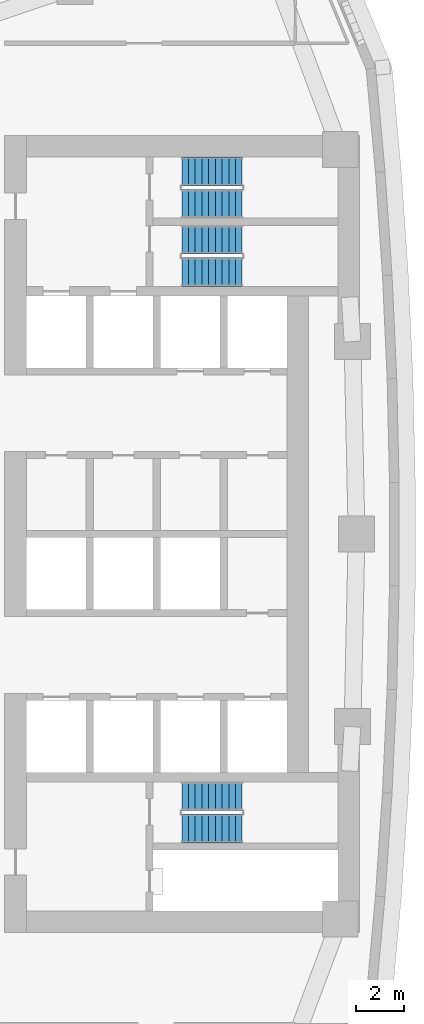
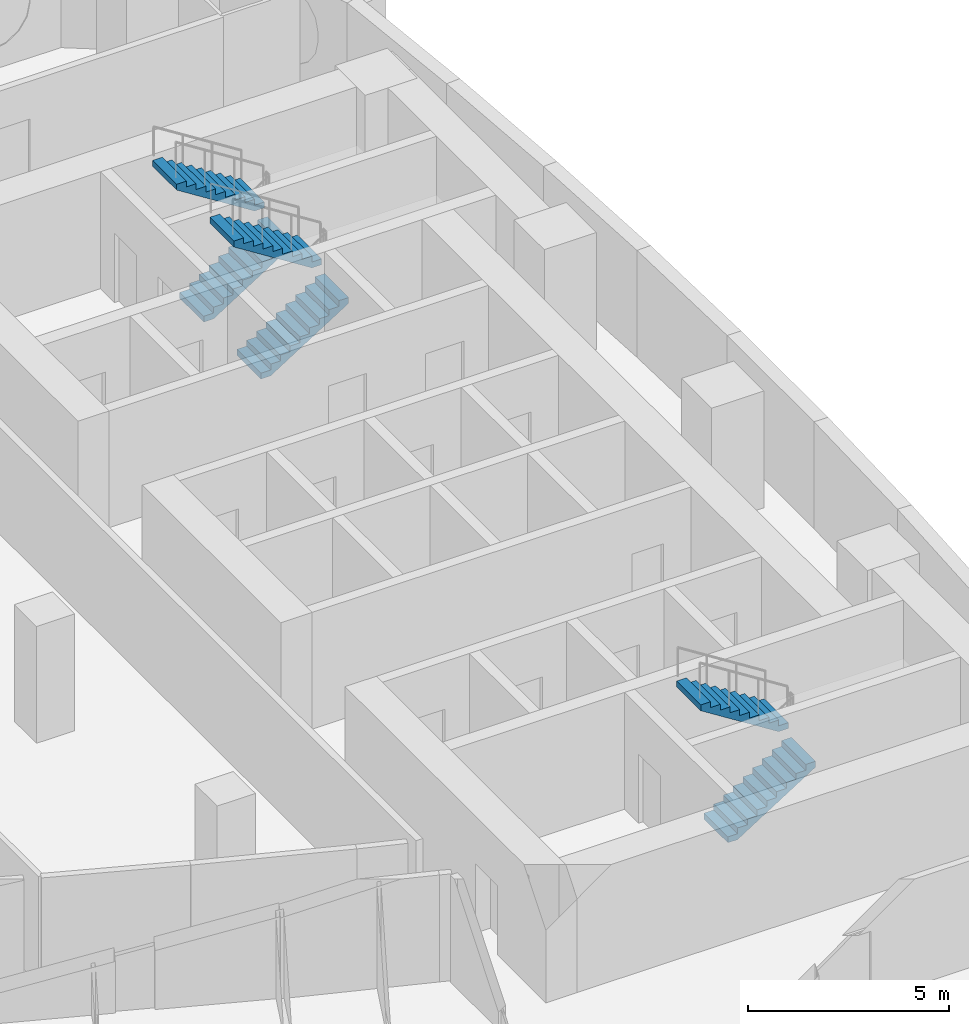
# One storey, part 13 of 17: 6 stair flights, 3 elements without a shape of their own.
"""IFC4 building model written with IfcOpenShell, lengths in metres."""

from ifc_helpers import new_model, si_unit, direction, frame, origin, place, context, subcontext, project, spatial, polyline, outline, extrude, material, type_object, element, aggregate, save


model = new_model("IFC4")

# Units and contexts
model_context = context("Model", 3, precision=1e-05, world=origin(), true_north=direction((0.0, 1.0)))
body_context = subcontext(model_context, "Body", "Model", "MODEL_VIEW")
ifc_project = project(units=[si_unit("LENGTHUNIT", "METRE"), si_unit("AREAUNIT", "SQUARE_METRE"), si_unit("VOLUMEUNIT", "CUBIC_METRE"), si_unit("PLANEANGLEUNIT", "RADIAN"), si_unit("MASSUNIT", "GRAM", prefix="KILO")], contexts=[model_context])

# Site, building, storey
site_placement = place(None, origin())
site = spatial("IfcSite", under=ifc_project, at=site_placement, CompositionType="ELEMENT")
building_placement = place(site_placement, origin())
building = spatial("IfcBuilding", under=site, at=building_placement, Name="Ostrand Prow Hotel Tower", CompositionType="ELEMENT")
storey_placement = place(building_placement, frame((0.0, 0.0, 144.39990234375)))
storey = spatial("IfcBuildingStorey", under=building, at=storey_placement, Name="L35", CompositionType="ELEMENT", Elevation=144.39990234375)

# Stair, stair flights
ifc_material_1 = material(Name="Concrete C40/50", Category="concrete")
stair_type = type_object("IfcStairType", Name="Exit stair 1200 upper zone", PredefinedType="HALF_TURN_STAIR", material=ifc_material_1)
stair_1_placement = place(storey_placement, origin())
stair_1 = element("IfcStair", 1, at=stair_1_placement, inside=storey, type_object=stair_type, Name="L35 ST1C", PredefinedType="HALF_TURN_STAIR")
ifc_material_2 = material(Name="Concrete C40/50", Category="concrete")
stair_flight_type = type_object("IfcStairFlightType", Name="Stair flight 1200 concrete", PredefinedType="STRAIGHT", material=ifc_material_2)
stair_flight_1_placement = place(storey_placement, frame((57.199951171875, 10.949951171875, 0.0), z_axis=(0.0, 0.0, 1.0), x_axis=(1.0, 0.0, 0.0)))
stair_flight_1 = element("IfcStairFlight", 2, at=stair_flight_1_placement, type_object=stair_flight_type, Name="ST1C flight 1", NumberOfRisers=10, NumberOfTreads=9, PredefinedType="STRAIGHT", RiserHeight=0.1775, TreadLength=0.28, context=body_context, shape_type="SweptSolid", body=[
    extrude(outline(polyline([(0.0, 0.0), (0.0, 0.177490234375), (0.280029296875, 0.177490234375), (0.280029296875, 0.35498046875), (0.56005859375, 0.35498046875), (0.56005859375, 0.532470703125), (0.840087890625, 0.532470703125), (0.840087890625, 0.7099609375), (1.1201171875, 0.7099609375), (1.1201171875, 0.887451171875), (1.39990234375, 0.887451171875), (1.39990234375, 1.06494140625), (1.679931640625, 1.06494140625), (1.679931640625, 1.242431640625), (1.9599609375, 1.242431640625), (1.9599609375, 1.419921875), (2.239990234375, 1.419921875), (2.239990234375, 1.597412109375), (2.52001953125, 1.597412109375), (2.52001953125, 1.77490234375), (2.52001953125, 1.419921875), (0.280029296875, 0.0), (0.0, 0.0)])), frame((0.0, 0.60009765625, 0.0), z_axis=(0.0, -1.0, 0.0), x_axis=(1.0, 0.0, 0.0)), (0.0, 0.0, 1.0), 1.199951171875),
])
stair_flight_2_placement = place(storey_placement, frame((59.719970703125, 12.300048828125, 1.775146484375), z_axis=(0.0, 0.0, 1.0), x_axis=(-1.0, 0.0, 0.0)))
stair_flight_2 = element("IfcStairFlight", 3, at=stair_flight_2_placement, type_object=stair_flight_type, Name="ST1C flight 2", NumberOfRisers=10, NumberOfTreads=9, PredefinedType="STRAIGHT", RiserHeight=0.1775, TreadLength=0.28, context=body_context, shape_type="SweptSolid", body=[
    extrude(outline(polyline([(0.0, 0.0), (0.0, 0.177490234375), (0.280029296875, 0.177490234375), (0.280029296875, 0.35498046875), (0.56005859375, 0.35498046875), (0.56005859375, 0.532470703125), (0.840087890625, 0.532470703125), (0.840087890625, 0.7099609375), (1.1201171875, 0.7099609375), (1.1201171875, 0.887451171875), (1.39990234375, 0.887451171875), (1.39990234375, 1.06494140625), (1.679931640625, 1.06494140625), (1.679931640625, 1.242431640625), (1.9599609375, 1.242431640625), (1.9599609375, 1.419921875), (2.239990234375, 1.419921875), (2.239990234375, 1.597412109375), (2.52001953125, 1.597412109375), (2.52001953125, 1.77490234375), (2.52001953125, 1.419921875), (0.280029296875, 0.0), (0.0, 0.0)])), frame((0.0, 0.60009765625, 0.0), z_axis=(0.0, -1.0, 0.0), x_axis=(1.0, 0.0, 0.0)), (0.0, 0.0, 1.0), 1.199951171875),
])
aggregate(stair_1, [stair_flight_1, stair_flight_2])

stair_2_placement = place(storey_placement, origin())
stair_2 = element("IfcStair", 4, at=stair_2_placement, inside=storey, type_object=stair_type, Name="L35 ST3C", PredefinedType="HALF_TURN_STAIR")
stair_flight_3_placement = place(storey_placement, frame((57.199951171875, 13.800048828125, 0.0), z_axis=(0.0, 0.0, 1.0), x_axis=(1.0, 0.0, 0.0)))
stair_flight_3 = element("IfcStairFlight", 5, at=stair_flight_3_placement, type_object=stair_flight_type, Name="ST3C flight 1", NumberOfRisers=10, NumberOfTreads=9, PredefinedType="STRAIGHT", RiserHeight=0.1775, TreadLength=0.28, context=body_context, shape_type="SweptSolid", body=[
    extrude(outline(polyline([(0.0, 0.0), (0.0, 0.177490234375), (0.280029296875, 0.177490234375), (0.280029296875, 0.35498046875), (0.56005859375, 0.35498046875), (0.56005859375, 0.532470703125), (0.840087890625, 0.532470703125), (0.840087890625, 0.7099609375), (1.1201171875, 0.7099609375), (1.1201171875, 0.887451171875), (1.39990234375, 0.887451171875), (1.39990234375, 1.06494140625), (1.679931640625, 1.06494140625), (1.679931640625, 1.242431640625), (1.9599609375, 1.242431640625), (1.9599609375, 1.419921875), (2.239990234375, 1.419921875), (2.239990234375, 1.597412109375), (2.52001953125, 1.597412109375), (2.52001953125, 1.77490234375), (2.52001953125, 1.419921875), (0.280029296875, 0.0), (0.0, 0.0)])), frame((0.0, 0.60009765625, 0.0), z_axis=(0.0, -1.0, 0.0), x_axis=(1.0, 0.0, 0.0)), (0.0, 0.0, 1.0), 1.199951171875),
])
stair_flight_4_placement = place(storey_placement, frame((59.719970703125, 15.14990234375, 1.775146484375), z_axis=(0.0, 0.0, 1.0), x_axis=(-1.0, 0.0, 0.0)))
stair_flight_4 = element("IfcStairFlight", 6, at=stair_flight_4_placement, type_object=stair_flight_type, Name="ST3C flight 2", NumberOfRisers=10, NumberOfTreads=9, PredefinedType="STRAIGHT", RiserHeight=0.1775, TreadLength=0.28, context=body_context, shape_type="SweptSolid", body=[
    extrude(outline(polyline([(0.0, 0.0), (0.0, 0.177490234375), (0.280029296875, 0.177490234375), (0.280029296875, 0.35498046875), (0.56005859375, 0.35498046875), (0.56005859375, 0.532470703125), (0.840087890625, 0.532470703125), (0.840087890625, 0.7099609375), (1.1201171875, 0.7099609375), (1.1201171875, 0.887451171875), (1.39990234375, 0.887451171875), (1.39990234375, 1.06494140625), (1.679931640625, 1.06494140625), (1.679931640625, 1.242431640625), (1.9599609375, 1.242431640625), (1.9599609375, 1.419921875), (2.239990234375, 1.419921875), (2.239990234375, 1.597412109375), (2.52001953125, 1.597412109375), (2.52001953125, 1.77490234375), (2.52001953125, 1.419921875), (0.280029296875, 0.0), (0.0, 0.0)])), frame((0.0, 0.60009765625, 0.0), z_axis=(0.0, -1.0, 0.0), x_axis=(1.0, 0.0, 0.0)), (0.0, 0.0, 1.0), 1.199951171875),
])
aggregate(stair_2, [stair_flight_3, stair_flight_4])

stair_3_placement = place(storey_placement, origin())
stair_3 = element("IfcStair", 7, at=stair_3_placement, inside=storey, type_object=stair_type, Name="L35 ST2C", PredefinedType="HALF_TURN_STAIR")
stair_flight_5_placement = place(storey_placement, frame((57.199951171875, -12.300048828125, 0.0), z_axis=(0.0, 0.0, 1.0), x_axis=(1.0, 0.0, 0.0)))
stair_flight_5 = element("IfcStairFlight", 8, at=stair_flight_5_placement, type_object=stair_flight_type, Name="ST2C flight 1", NumberOfRisers=10, NumberOfTreads=9, PredefinedType="STRAIGHT", RiserHeight=0.1775, TreadLength=0.28, context=body_context, shape_type="SweptSolid", body=[
    extrude(outline(polyline([(0.0, 0.0), (0.0, 0.177490234375), (0.280029296875, 0.177490234375), (0.280029296875, 0.35498046875), (0.56005859375, 0.35498046875), (0.56005859375, 0.532470703125), (0.840087890625, 0.532470703125), (0.840087890625, 0.7099609375), (1.1201171875, 0.7099609375), (1.1201171875, 0.887451171875), (1.39990234375, 0.887451171875), (1.39990234375, 1.06494140625), (1.679931640625, 1.06494140625), (1.679931640625, 1.242431640625), (1.9599609375, 1.242431640625), (1.9599609375, 1.419921875), (2.239990234375, 1.419921875), (2.239990234375, 1.597412109375), (2.52001953125, 1.597412109375), (2.52001953125, 1.77490234375), (2.52001953125, 1.419921875), (0.280029296875, 0.0), (0.0, 0.0)])), frame((0.0, 0.60009765625, 0.0), z_axis=(0.0, -1.0, 0.0), x_axis=(1.0, 0.0, 0.0)), (0.0, 0.0, 1.0), 1.199951171875),
])
stair_flight_6_placement = place(storey_placement, frame((59.719970703125, -10.949951171875, 1.775146484375), z_axis=(0.0, 0.0, 1.0), x_axis=(-1.0, 0.0, 0.0)))
stair_flight_6 = element("IfcStairFlight", 9, at=stair_flight_6_placement, type_object=stair_flight_type, Name="ST2C flight 2", NumberOfRisers=10, NumberOfTreads=9, PredefinedType="STRAIGHT", RiserHeight=0.1775, TreadLength=0.28, context=body_context, shape_type="SweptSolid", body=[
    extrude(outline(polyline([(0.0, 0.0), (0.0, 0.177490234375), (0.280029296875, 0.177490234375), (0.280029296875, 0.35498046875), (0.56005859375, 0.35498046875), (0.56005859375, 0.532470703125), (0.840087890625, 0.532470703125), (0.840087890625, 0.7099609375), (1.1201171875, 0.7099609375), (1.1201171875, 0.887451171875), (1.39990234375, 0.887451171875), (1.39990234375, 1.06494140625), (1.679931640625, 1.06494140625), (1.679931640625, 1.242431640625), (1.9599609375, 1.242431640625), (1.9599609375, 1.419921875), (2.239990234375, 1.419921875), (2.239990234375, 1.597412109375), (2.52001953125, 1.597412109375), (2.52001953125, 1.77490234375), (2.52001953125, 1.419921875), (0.280029296875, 0.0), (0.0, 0.0)])), frame((0.0, 0.60009765625, 0.0), z_axis=(0.0, -1.0, 0.0), x_axis=(1.0, 0.0, 0.0)), (0.0, 0.0, 1.0), 1.199951171875),
])
aggregate(stair_3, [stair_flight_5, stair_flight_6])

save(model, "model.ifc")
